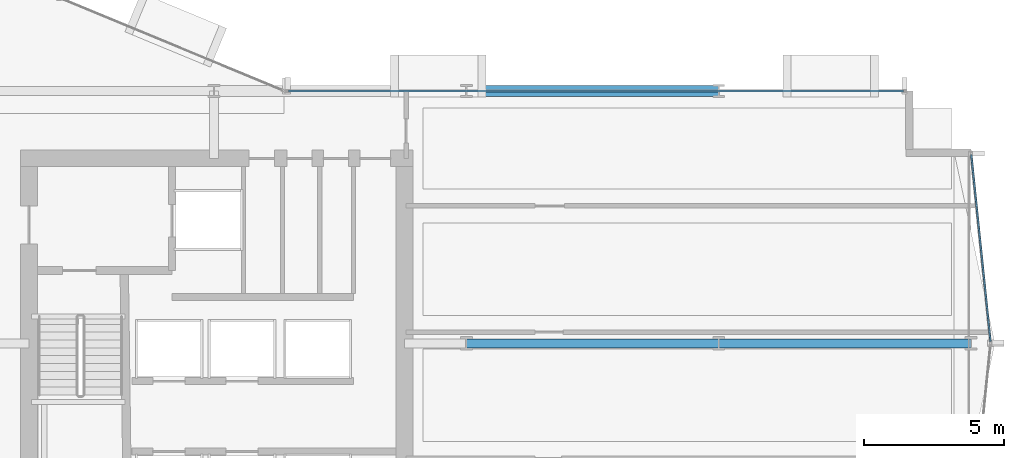
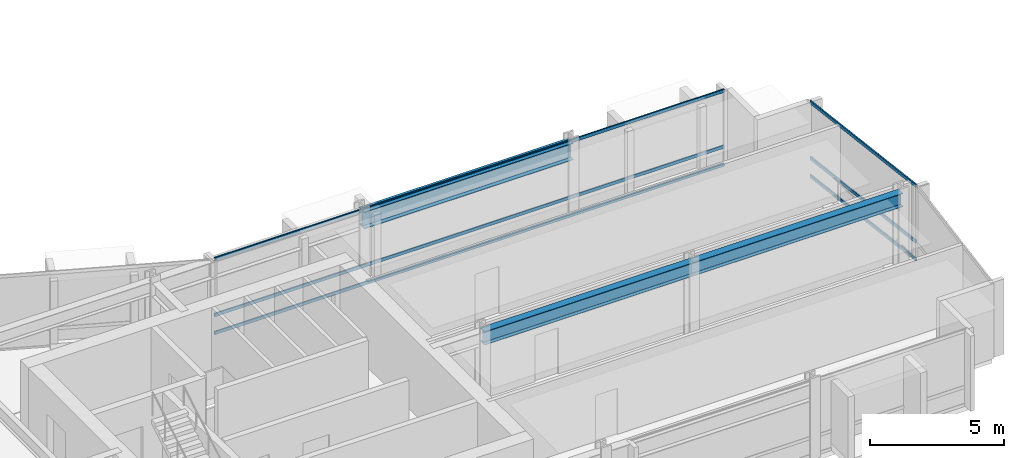
# One storey, part 16 of 34: 6 members, 3 beams, 2 elements without a shape of their own.
"""IFC4 building model written with IfcOpenShell, lengths in metres."""

import ifcopenshell
import ifcopenshell.guid

model = None  # the IFC model being written
_history = None  # IfcOwnerHistory: only IFC2X3 demands one
_inside = {}  # id of a spatial element -> (the spatial element, [elements in it])
_under = {}  # id of a project, library or spatial element -> (it, [spatial elements below it])
_declared = {}  # id of a project -> (the project, [libraries it declares])
_typed = {}  # id of a type object -> (the type object, [elements of that type])
_made_of = {}  # id of a material, layer set ... -> (it, [elements and type objects made of it])


def new_model(schema):
    """Start an empty IFC model of exactly this schema.

    Asked for "IFC4X3", IfcOpenShell would pick the latest addendum, in which some entities
    have other attributes; the version numbers below select the first issue.
    IFC2X3 requires an IfcOwnerHistory on every rooted entity: one is made here for all.
    """
    global model, _history
    if schema == "IFC4X3":
        model = ifcopenshell.file(schema_version=(4, 3, 0, 0))
    else:
        model = ifcopenshell.file(schema=schema)
    _inside.clear()
    _under.clear()
    _declared.clear()
    _typed.clear()
    _made_of.clear()
    _history = None
    if model.schema == "IFC2X3":
        org = make("IfcOrganization", Name="unknown")
        user = make(
            "IfcPersonAndOrganization",
            ThePerson=make("IfcPerson", FamilyName="unknown"),
            TheOrganization=org,
        )
        app = make(
            "IfcApplication",
            ApplicationDeveloper=org,
            Version="unknown",
            ApplicationFullName="unknown",
            ApplicationIdentifier="unknown",
        )
        _history = make(
            "IfcOwnerHistory",
            OwningUser=user,
            OwningApplication=app,
            ChangeAction="ADDED",
            CreationDate=0,
        )
    return model


def make(cls, **values):
    """One entity of the class cls with the attributes given. An attribute that is None is left unset."""
    return model.create_entity(
        cls, **{name: value for name, value in values.items() if value is not None}
    )


def rooted(cls, **values):
    """An entity with a GlobalId (a new one), such as an element, a storey or a relation."""
    return make(cls, GlobalId=ifcopenshell.guid.new(), OwnerHistory=_history, **values)


def si_unit(unit_type, name, prefix=None):
    """IfcSIUnit, for example si_unit("LENGTHUNIT", "METRE", prefix="MILLI")."""
    return make("IfcSIUnit", UnitType=unit_type, Prefix=prefix, Name=name)


def assignment(units):
    """IfcUnitAssignment: the units of a project."""
    return None if units is None else make("IfcUnitAssignment", Units=units)


def point(xyz):
    """IfcCartesianPoint."""
    return None if xyz is None else make("IfcCartesianPoint", Coordinates=xyz)


def direction(xyz):
    """IfcDirection."""
    return None if xyz is None else make("IfcDirection", DirectionRatios=xyz)


def frame(location, z_axis=None, x_axis=None):
    """IfcAxis2Placement3D, a coordinate frame: its origin and axes. An axis left out is left unset."""
    return make(
        "IfcAxis2Placement3D",
        Location=point(location),
        Axis=direction(z_axis),
        RefDirection=direction(x_axis),
    )


def frame_2d(location, x_axis=None):
    """IfcAxis2Placement2D, a coordinate frame in the plane: its origin and x axis."""
    return make(
        "IfcAxis2Placement2D", Location=point(location), RefDirection=direction(x_axis)
    )


def origin():
    """The frame at (0, 0, 0) with its axes left unset."""
    return frame((0.0, 0.0, 0.0))


def origin_2d():
    """The frame at (0, 0) in the plane with its x axis left unset."""
    return frame_2d((0.0, 0.0))


def place(relative_to, where):
    """IfcLocalPlacement: puts the frame where relative to a parent placement (None: the world)."""
    return make(
        "IfcLocalPlacement", PlacementRelTo=relative_to, RelativePlacement=where
    )


def context(
    kind, dimensions, precision=None, world=None, true_north=None, identifier=None
):
    """IfcGeometricRepresentationContext, for example the 3D "Model" context."""
    return make(
        "IfcGeometricRepresentationContext",
        ContextIdentifier=identifier,
        ContextType=kind,
        CoordinateSpaceDimension=dimensions,
        Precision=precision,
        WorldCoordinateSystem=world,
        TrueNorth=true_north,
    )


def subcontext(parent, identifier, kind, view, scale=None):
    """IfcGeometricRepresentationSubContext, for example "Body" below "Model"."""
    return make(
        "IfcGeometricRepresentationSubContext",
        ContextIdentifier=identifier,
        ContextType=kind,
        ParentContext=parent,
        TargetScale=scale,
        TargetView=view,
    )


def project(units=None, contexts=None):
    """IfcProject with its units and contexts."""
    return rooted(
        "IfcProject",
        Name="project",
        RepresentationContexts=contexts,
        UnitsInContext=assignment(units),
    )


def spatial(cls, under=None, at=None, **own):
    """A site, building, storey or space (cls), placed at a placement, below another one or the project."""
    s = rooted(cls, ObjectPlacement=at, **own)
    if under is not None:
        _under.setdefault(under.id(), (under, []))[1].append(s)
    return s


def profile(cls, at=None, kind="AREA", **sizes):
    """A parametric profile (cls). Its sizes go by their IFC names, for example OverallWidth=200.0."""
    return make(cls, ProfileType=kind, Position=at, **sizes)


def hollow_rectangle(**sizes):
    """IfcRectangleHollowProfileDef."""
    return profile("IfcRectangleHollowProfileDef", **sizes)


def i_section(**sizes):
    """IfcIShapeProfileDef."""
    return profile("IfcIShapeProfileDef", **sizes)


def extrude(swept, where, along, depth):
    """IfcExtrudedAreaSolid: the profile swept, set in the frame where, extruded along a direction by depth."""
    return make(
        "IfcExtrudedAreaSolid",
        SweptArea=swept,
        Position=where,
        ExtrudedDirection=direction(along),
        Depth=depth,
    )


def shape(context_of_items, identifier, shape_type, items):
    """IfcShapeRepresentation: the items that make up one representation, for example the "Body"."""
    return make(
        "IfcShapeRepresentation",
        ContextOfItems=context_of_items,
        RepresentationIdentifier=identifier,
        RepresentationType=shape_type,
        Items=items,
    )


def material(Name=None, Category=None):
    """IfcMaterial."""
    return make("IfcMaterial", Name=Name, Category=Category)


def layer(
    of_material, thickness, ventilated=None, Name=None, Category=None, Priority=None
):
    """IfcMaterialLayer: one layer of a wall or slab, of a material (None: an air gap)."""
    return make(
        "IfcMaterialLayer",
        Material=of_material,
        LayerThickness=thickness,
        IsVentilated=ventilated,
        Name=Name,
        Category=Category,
        Priority=Priority,
    )


def layer_set(layers, Name=None):
    """IfcMaterialLayerSet."""
    return make("IfcMaterialLayerSet", MaterialLayers=layers, LayerSetName=Name)


def material_profile(
    of_material, cross_section, Name=None, Category=None, Priority=None
):
    """IfcMaterialProfile: a cross section and its material."""
    return make(
        "IfcMaterialProfile",
        Name=Name,
        Material=of_material,
        Profile=cross_section,
        Priority=Priority,
        Category=Category,
    )


def profile_set(profiles, Name=None, composite=None):
    """IfcMaterialProfileSet."""
    return make(
        "IfcMaterialProfileSet",
        Name=Name,
        MaterialProfiles=profiles,
        CompositeProfile=composite,
    )


def made_of(thing, what):
    """Note that an element or type object is made of a material, layer set ...; save() writes the relation."""
    if what is not None:
        _made_of.setdefault(what.id(), (what, []))[1].append(thing)
    return thing


def type_object(cls, material=None, **own):
    """A type object (cls), such as IfcWallType, which elements share."""
    return made_of(rooted(cls, **own), material)


def element(
    cls,
    number,
    at=None,
    inside=None,
    cuts=None,
    type_object=None,
    material=None,
    context=None,
    identifier="Body",
    shape_type=None,
    held_by="IfcProductDefinitionShape",
    body=None,
    shapes=None,
    **own,
):
    """One element of the class cls, such as IfcWall. Its Tag is "e" and its number.

    at: its placement. inside: the storey or other place that contains it. cuts: it is an
    opening in that element (IfcRelVoidsElement). A single representation is given by context,
    identifier, shape_type and body (its items); several are given by shapes. held_by: the class
    of the entity that holds the representations. save() writes the other relations.
    """
    e = rooted(cls, Tag="e%d" % number, ObjectPlacement=at, **own)
    if body is not None:
        shapes = [shape(context, identifier, shape_type, body)]
    if shapes is not None:
        e.Representation = make(held_by, Representations=shapes)
    if inside is not None:
        _inside.setdefault(inside.id(), (inside, []))[1].append(e)
    if cuts is not None:
        rooted(
            "IfcRelVoidsElement", RelatingBuildingElement=cuts, RelatedOpeningElement=e
        )
    if type_object is not None:
        _typed.setdefault(type_object.id(), (type_object, []))[1].append(e)
    return made_of(e, material)


def aggregate(whole, parts):
    """IfcRelAggregates: a whole, such as a stair, and the parts it consists of."""
    return rooted("IfcRelAggregates", RelatingObject=whole, RelatedObjects=parts)


def save(model, path):
    """Write the relations noted so far, then the file.

    IfcRelAggregates (storeys below a building ...), IfcRelContainedInSpatialStructure (elements
    in a storey), IfcRelDefinesByType, IfcRelAssociatesMaterial and IfcRelDeclares: one each for
    every whole, place, type object, material and project.
    """
    for whole, parts in _under.values():
        aggregate(whole, parts)
    for where, things in _inside.values():
        rooted(
            "IfcRelContainedInSpatialStructure",
            RelatedElements=things,
            RelatingStructure=where,
        )
    for kind, things in _typed.values():
        rooted("IfcRelDefinesByType", RelatedObjects=things, RelatingType=kind)
    for what, things in _made_of.values():
        rooted("IfcRelAssociatesMaterial", RelatedObjects=things, RelatingMaterial=what)
    for by, libraries in _declared.values():
        rooted("IfcRelDeclares", RelatingContext=by, RelatedDefinitions=libraries)
    model.write(path)


model = new_model("IFC4")

# Units and contexts
model_context = context("Model", 3, precision=1e-05, world=origin(), true_north=direction((0.0, 1.0)))
body_context = subcontext(model_context, "Body", "Model", "MODEL_VIEW")
ifc_project = project(units=[si_unit("LENGTHUNIT", "METRE"), si_unit("AREAUNIT", "SQUARE_METRE"), si_unit("VOLUMEUNIT", "CUBIC_METRE"), si_unit("PLANEANGLEUNIT", "RADIAN"), si_unit("MASSUNIT", "GRAM", prefix="KILO")], contexts=[model_context])

# Site, building, storey
site_placement = place(None, origin())
site = spatial("IfcSite", under=ifc_project, at=site_placement, CompositionType="ELEMENT")
building_placement = place(site_placement, origin())
building = spatial("IfcBuilding", under=site, at=building_placement, Name="Solvaryn Broadcast Tower", CompositionType="ELEMENT")
storey_placement = place(building_placement, frame((0.0, 0.0, 89.10009765625)))
storey = spatial("IfcBuildingStorey", under=building, at=storey_placement, Name="L21", CompositionType="ELEMENT", Elevation=89.10009765625)

# Beams
ifc_material_1 = material(Name="Steel ASTM A992 Grade 50", Category="steel")
ifc_material_profile_1 = material_profile(ifc_material_1, i_section(OverallWidth=0.323974609375, OverallDepth=0.611083984375, WebThickness=0.0126953125, FlangeThickness=0.01904296875, FilletRadius=0.014892578125, at=origin_2d()))
ifc_profile_set_1 = profile_set([ifc_material_profile_1], Name="Steel ASTM A992 Grade 50")
beam_type_1 = type_object("IfcBeamType", Name="BM-B1-W24X104", PredefinedType="BEAM", material=ifc_profile_set_1)
for number, where, z_axis, x_axis, name in (
    (1, (45.0, 18.0, 3.114501953125), (1.0, 0.0, 0.0), (0.0, 1.0, 0.0), "L21 Primary Beam X (45-54 @ Y=18)"),
    (2, (54.0, 18.0, 3.114501953125), (1.0, 0.0, 0.0), (0.0, 1.0, 0.0), "L21 Primary Beam X (54-63 @ Y=18)"),
):
    element("IfcBeam", number, at=place(storey_placement, frame(where, z_axis=z_axis, x_axis=x_axis)), inside=storey, type_object=beam_type_1, Name=name, PredefinedType="BEAM", context=body_context, shape_type="SweptSolid", body=[
        extrude(i_section(OverallWidth=0.323974609375, OverallDepth=0.611083984375, WebThickness=0.0126953125, FlangeThickness=0.01904296875, FilletRadius=0.014892578125, at=origin_2d()), origin(), (0.0, 0.0, 1.0), 9.0),
    ])
ifc_material_2 = material(Name="Steel ASTM A992 Grade 50", Category="steel")
ifc_material_profile_2 = material_profile(ifc_material_2, i_section(OverallWidth=0.381103515625, OverallDepth=0.77294921875, WebThickness=0.0166015625, FlangeThickness=0.027099609375, FilletRadius=0.01806640625, at=origin_2d()))
ifc_profile_set_2 = profile_set([ifc_material_profile_2], Name="Steel ASTM A992 Grade 50")
beam_type_2 = type_object("IfcBeamType", Name="BM-SP1-W30X173", PredefinedType="USERDEFINED", material=ifc_profile_set_2)
beam_placement = place(storey_placement, frame((45.0, 27.0, 3.033447265625), z_axis=(1.0, 0.0, 0.0), x_axis=(0.0, 1.0, 0.0)))
element("IfcBeam", 3, at=beam_placement, inside=storey, type_object=beam_type_2, Name="L21 Spandrel Beam X (45-54 @ Y=27)", ObjectType="SPANDREL", PredefinedType="USERDEFINED", context=body_context, shape_type="SweptSolid", body=[
    extrude(i_section(OverallWidth=0.381103515625, OverallDepth=0.77294921875, WebThickness=0.0166015625, FlangeThickness=0.027099609375, FilletRadius=0.01806640625, at=origin_2d()), origin(), (0.0, 0.0, 1.0), 9.0),
])

# Curtain wall, members
ifc_material_3 = material(Name="Aluminium and Terracotta Unitised Curtain Wall", Category="masonry")
ifc_layer = layer(ifc_material_3, 0.199951171875)
ifc_layer_set = layer_set([ifc_layer], Name="CW-SYS2-LOWMID")
curtain_wall_type = type_object("IfcCurtainWallType", Name="CW-SYS2-LOWMID", PredefinedType="NOTDEFINED", material=ifc_layer_set)
curtain_wall_1_placement = place(storey_placement, origin())
curtain_wall_1 = element("IfcCurtainWall", 4, at=curtain_wall_1_placement, inside=storey, type_object=curtain_wall_type, Name="L21 Curtain Wall ET1", PredefinedType="NOTDEFINED")
ifc_material_4 = material(Name="Anodised Aluminium 6063-T6", Category="aluminium")
ifc_material_profile_3 = material_profile(ifc_material_4, hollow_rectangle(XDim=0.06494140625, YDim=0.14990234375, WallThickness=0.00390625, InnerFilletRadius=0.00390625, OuterFilletRadius=0.008056640625, at=origin_2d()))
ifc_profile_set_3 = profile_set([ifc_material_profile_3], Name="Anodised Aluminium 6063-T6")
member_type = type_object("IfcMemberType", Name="CW-TRN-150", PredefinedType="USERDEFINED", material=ifc_profile_set_3)
member_1_placement = place(storey_placement, frame((63.006103515625, 24.740234375, 0.02978515625), z_axis=(0.102404277363, -0.994742863245, 0.0), x_axis=(0.994742863245, 0.102404277363, 0.0)))
member_1 = element("IfcMember", 5, at=member_1_placement, type_object=member_type, Name="CWS2 transom 1.1", ObjectType="TRANSOM", PredefinedType="USERDEFINED", context=body_context, shape_type="SweptSolid", body=[
    extrude(hollow_rectangle(XDim=0.06494140625, YDim=0.14990234375, WallThickness=0.00390625, InnerFilletRadius=0.00390625, OuterFilletRadius=0.008056640625, at=origin_2d()), origin(), (0.0, 0.0, 1.0), 6.716064453125),
])
member_2_placement = place(storey_placement, frame((63.006103515625, 24.740234375, 0.849853515625), z_axis=(0.102404277363, -0.994742863245, 0.0), x_axis=(0.994742863245, 0.102404277363, 0.0)))
member_2 = element("IfcMember", 6, at=member_2_placement, type_object=member_type, Name="CWS2 transom 1.2", ObjectType="TRANSOM", PredefinedType="USERDEFINED", context=body_context, shape_type="SweptSolid", body=[
    extrude(hollow_rectangle(XDim=0.06494140625, YDim=0.14990234375, WallThickness=0.00390625, InnerFilletRadius=0.00390625, OuterFilletRadius=0.008056640625, at=origin_2d()), origin(), (0.0, 0.0, 1.0), 6.716064453125),
])
member_3_placement = place(storey_placement, frame((63.006103515625, 24.740234375, 3.389892578125), z_axis=(0.102404277363, -0.994742863245, 0.0), x_axis=(0.994742863245, 0.102404277363, 0.0)))
member_3 = element("IfcMember", 7, at=member_3_placement, type_object=member_type, Name="CWS2 transom 1.3", ObjectType="TRANSOM", PredefinedType="USERDEFINED", context=body_context, shape_type="SweptSolid", body=[
    extrude(hollow_rectangle(XDim=0.06494140625, YDim=0.14990234375, WallThickness=0.00390625, InnerFilletRadius=0.00390625, OuterFilletRadius=0.008056640625, at=origin_2d()), origin(), (0.0, 0.0, 1.0), 6.716064453125),
])
aggregate(curtain_wall_1, [member_1, member_2, member_3])

curtain_wall_2_placement = place(storey_placement, origin())
curtain_wall_2 = element("IfcCurtainWall", 8, at=curtain_wall_2_placement, inside=storey, type_object=curtain_wall_type, Name="L21 Curtain Wall IH", PredefinedType="NOTDEFINED")
member_4_placement = place(storey_placement, frame((38.659912109375, 27.0, 0.02978515625), z_axis=(1.0, 0.0, 0.0), x_axis=(0.0, 1.0, 0.0)))
member_4 = element("IfcMember", 9, at=member_4_placement, type_object=member_type, Name="CWS2 transom 1.1", ObjectType="TRANSOM", PredefinedType="USERDEFINED", context=body_context, shape_type="SweptSolid", body=[
    extrude(hollow_rectangle(XDim=0.06494140625, YDim=0.14990234375, WallThickness=0.00390625, InnerFilletRadius=0.00390625, OuterFilletRadius=0.008056640625, at=origin_2d()), origin(), (0.0, 0.0, 1.0), 21.93017578125),
])
member_5_placement = place(storey_placement, frame((38.659912109375, 27.0, 0.849853515625), z_axis=(1.0, 0.0, 0.0), x_axis=(0.0, 1.0, 0.0)))
member_5 = element("IfcMember", 10, at=member_5_placement, type_object=member_type, Name="CWS2 transom 1.2", ObjectType="TRANSOM", PredefinedType="USERDEFINED", context=body_context, shape_type="SweptSolid", body=[
    extrude(hollow_rectangle(XDim=0.06494140625, YDim=0.14990234375, WallThickness=0.00390625, InnerFilletRadius=0.00390625, OuterFilletRadius=0.008056640625, at=origin_2d()), origin(), (0.0, 0.0, 1.0), 21.93017578125),
])
member_6_placement = place(storey_placement, frame((38.659912109375, 27.0, 3.389892578125), z_axis=(1.0, 0.0, 0.0), x_axis=(0.0, 1.0, 0.0)))
member_6 = element("IfcMember", 11, at=member_6_placement, type_object=member_type, Name="CWS2 transom 1.3", ObjectType="TRANSOM", PredefinedType="USERDEFINED", context=body_context, shape_type="SweptSolid", body=[
    extrude(hollow_rectangle(XDim=0.06494140625, YDim=0.14990234375, WallThickness=0.00390625, InnerFilletRadius=0.00390625, OuterFilletRadius=0.008056640625, at=origin_2d()), origin(), (0.0, 0.0, 1.0), 21.93017578125),
])
aggregate(curtain_wall_2, [member_4, member_5, member_6])

save(model, "model.ifc")
